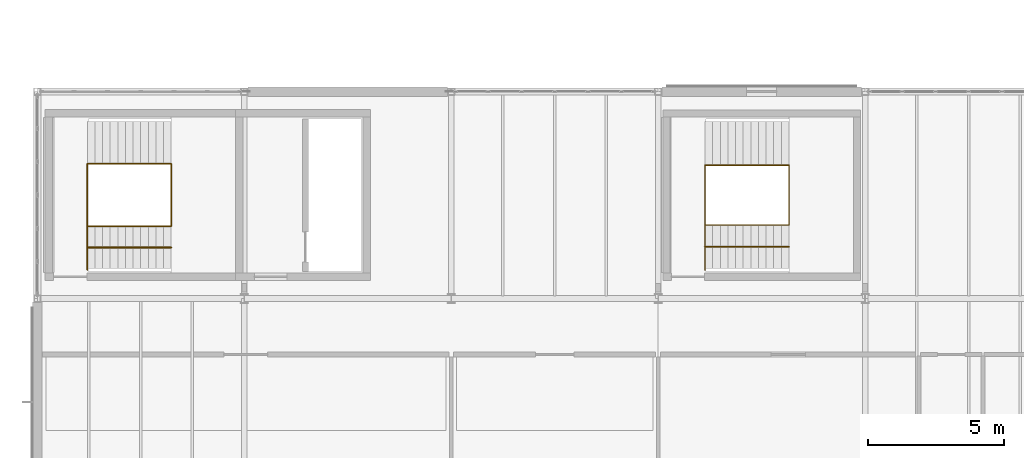
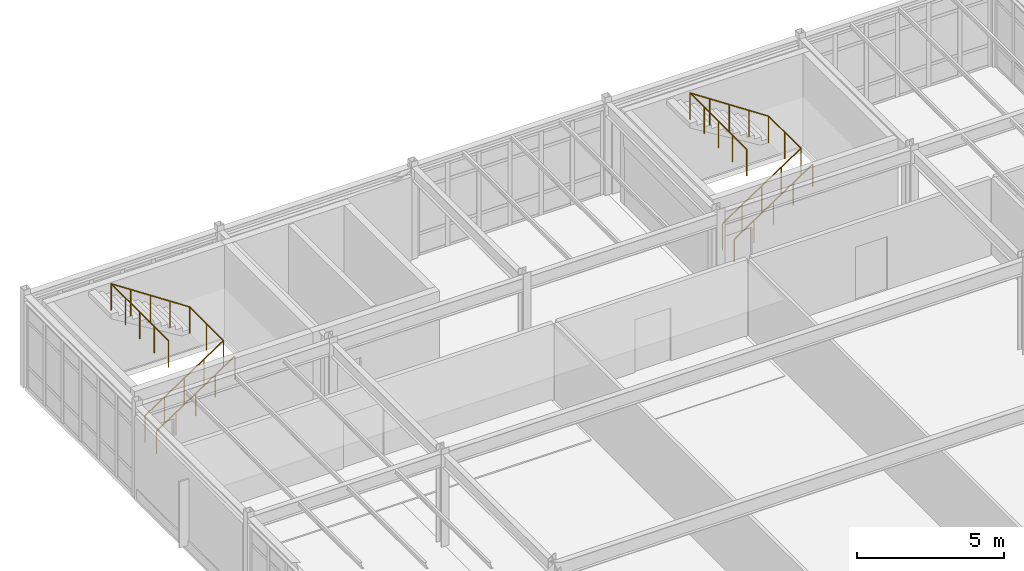
# One storey, part 182 of 189: 4 railings.
"""IFC4 building model written with IfcOpenShell, lengths in metres."""

from ifc_helpers import new_model, si_unit, direction, frame, origin, origin_2d, place, context, subcontext, project, spatial, circle, extrude, material, type_object, element, save


model = new_model("IFC4")

# Units and contexts
model_context = context("Model", 3, precision=1e-05, world=origin(), true_north=direction((0.0, 1.0)))
body_context = subcontext(model_context, "Body", "Model", "MODEL_VIEW")
ifc_project = project(units=[si_unit("LENGTHUNIT", "METRE"), si_unit("AREAUNIT", "SQUARE_METRE"), si_unit("VOLUMEUNIT", "CUBIC_METRE"), si_unit("PLANEANGLEUNIT", "RADIAN"), si_unit("MASSUNIT", "GRAM", prefix="KILO")], contexts=[model_context])

# Site, building, storey
site_placement = place(None, origin())
site = spatial("IfcSite", under=ifc_project, at=site_placement, CompositionType="ELEMENT")
building_placement = place(site_placement, origin())
building = spatial("IfcBuilding", under=site, at=building_placement, Name="Montecoro Central Library", CompositionType="ELEMENT")
storey_placement = place(building_placement, frame((0.0, 0.0, 9.179931640625)))
storey = spatial("IfcBuildingStorey", under=building, at=storey_placement, Name="L02", CompositionType="ELEMENT", Elevation=9.179931640625)

# Railings
ifc_material_1 = material(Name="Brushed stainless steel and bronze balustrade", Category="steel")
railing_type_1 = type_object("IfcRailingType", Name="GRD-INT-110", PredefinedType="GUARDRAIL", material=ifc_material_1)
railing_1_placement = place(storey_placement, frame((6.840087890625, 106.449951171875, 0.0)))
element("IfcRailing", 1, at=railing_1_placement, inside=storey, type_object=railing_type_1, Name="C5-L02-STR-GRD", PredefinedType="GUARDRAIL", context=body_context, shape_type="SweptSolid", body=[
    extrude(circle(Radius=0.02392578125, at=origin_2d()), frame((0.0, 0.0, 1.09619140625), z_axis=(0.833693729882, 0.0, 0.552227095275), x_axis=(0.0, 1.0, 0.0)), (0.0, 0.0, 1.0), 3.694091796875),
    extrude(circle(Radius=0.02392578125, at=origin_2d()), frame((3.079833984375, 0.0, 3.13623046875), z_axis=(0.0, 1.0, 0.0), x_axis=(-1.0, 0.0, 0.0)), (0.0, 0.0, 1.0), 2.300048828125),
    extrude(circle(Radius=0.02392578125, at=origin_2d()), frame((3.079833984375, 2.300048828125, 3.13623046875), z_axis=(-0.833693729882, 0.0, 0.552227095275), x_axis=(0.0, -1.0, 0.0)), (0.0, 0.0, 1.0), 3.694091796875),
    extrude(circle(Radius=0.02392578125, at=origin_2d()), frame((0.0, 2.300048828125, 5.17626953125), z_axis=(0.0, -1.0, 0.0), x_axis=(1.0, 0.0, 0.0)), (0.0, 0.0, 1.0), 3.89990234375),
    extrude(circle(Radius=0.02099609375, at=origin_2d()), origin(), (0.0, 0.0, 1.0), 1.072021484375),
    extrude(circle(Radius=0.02099609375, at=origin_2d()), frame((0.77001953125, 0.0, 0.510009765625)), (0.0, 0.0, 1.0), 1.072021484375),
    extrude(circle(Radius=0.02099609375, at=origin_2d()), frame((1.5400390625, 0.0, 1.02001953125)), (0.0, 0.0, 1.0), 1.072021484375),
    extrude(circle(Radius=0.02099609375, at=origin_2d()), frame((2.309814453125, 0.0, 1.530029296875)), (0.0, 0.0, 1.0), 1.072021484375),
    extrude(circle(Radius=0.02099609375, at=origin_2d()), frame((3.079833984375, 0.0, 2.0400390625)), (0.0, 0.0, 1.0), 1.072021484375),
    extrude(circle(Radius=0.02099609375, at=origin_2d()), frame((3.079833984375, 1.14990234375, 2.0400390625)), (0.0, 0.0, 1.0), 1.072021484375),
    extrude(circle(Radius=0.02099609375, at=origin_2d()), frame((3.079833984375, 2.300048828125, 2.0400390625)), (0.0, 0.0, 1.0), 1.072021484375),
    extrude(circle(Radius=0.02099609375, at=origin_2d()), frame((2.309814453125, 2.300048828125, 2.550048828125)), (0.0, 0.0, 1.0), 1.072021484375),
    extrude(circle(Radius=0.02099609375, at=origin_2d()), frame((1.5400390625, 2.300048828125, 3.06005859375)), (0.0, 0.0, 1.0), 1.072021484375),
    extrude(circle(Radius=0.02099609375, at=origin_2d()), frame((0.77001953125, 2.300048828125, 3.570068359375)), (0.0, 0.0, 1.0), 1.072021484375),
    extrude(circle(Radius=0.02099609375, at=origin_2d()), frame((0.0, 2.300048828125, 4.080078125)), (0.0, 0.0, 1.0), 1.072021484375),
    extrude(circle(Radius=0.02099609375, at=origin_2d()), frame((0.0, 1.3251953125, 4.080078125)), (0.0, 0.0, 1.0), 1.072021484375),
    extrude(circle(Radius=0.02099609375, at=origin_2d()), frame((0.0, 0.35009765625, 4.080078125)), (0.0, 0.0, 1.0), 1.072021484375),
    extrude(circle(Radius=0.02099609375, at=origin_2d()), frame((0.0, -0.625, 4.080078125)), (0.0, 0.0, 1.0), 1.072021484375),
    extrude(circle(Radius=0.02099609375, at=origin_2d()), frame((0.0, -1.599853515625, 4.080078125)), (0.0, 0.0, 1.0), 1.072021484375),
])
railing_2_placement = place(storey_placement, frame((29.52001953125, 106.5, 0.0)))
element("IfcRailing", 2, at=railing_2_placement, inside=storey, type_object=railing_type_1, Name="C9-L02-STR-GRD", PredefinedType="GUARDRAIL", context=body_context, shape_type="SweptSolid", body=[
    extrude(circle(Radius=0.02392578125, at=origin_2d()), frame((0.0, 0.0, 1.09619140625), z_axis=(0.833713881912, 0.0, 0.552196670677), x_axis=(0.0, 1.0, 0.0)), (0.0, 0.0, 1.0), 3.6943359375),
    extrude(circle(Radius=0.02392578125, at=origin_2d()), frame((3.080078125, 0.0, 3.13623046875), z_axis=(0.0, 1.0, 0.0), x_axis=(-1.0, 0.0, 0.0)), (0.0, 0.0, 1.0), 2.199951171875),
    extrude(circle(Radius=0.02392578125, at=origin_2d()), frame((3.080078125, 2.199951171875, 3.13623046875), z_axis=(-0.833713881912, 0.0, 0.552196670677), x_axis=(0.0, -1.0, 0.0)), (0.0, 0.0, 1.0), 3.6943359375),
    extrude(circle(Radius=0.02392578125, at=origin_2d()), frame((0.0, 2.199951171875, 5.17626953125), z_axis=(0.0, -1.0, 0.0), x_axis=(1.0, 0.0, 0.0)), (0.0, 0.0, 1.0), 3.849853515625),
    extrude(circle(Radius=0.02099609375, at=origin_2d()), origin(), (0.0, 0.0, 1.0), 1.072021484375),
    extrude(circle(Radius=0.02099609375, at=origin_2d()), frame((0.77001953125, 0.0, 0.510009765625)), (0.0, 0.0, 1.0), 1.072021484375),
    extrude(circle(Radius=0.02099609375, at=origin_2d()), frame((1.5400390625, 0.0, 1.02001953125)), (0.0, 0.0, 1.0), 1.072021484375),
    extrude(circle(Radius=0.02099609375, at=origin_2d()), frame((2.31005859375, 0.0, 1.530029296875)), (0.0, 0.0, 1.0), 1.072021484375),
    extrude(circle(Radius=0.02099609375, at=origin_2d()), frame((3.080078125, 0.0, 2.0400390625)), (0.0, 0.0, 1.0), 1.072021484375),
    extrude(circle(Radius=0.02099609375, at=origin_2d()), frame((3.080078125, 1.10009765625, 2.0400390625)), (0.0, 0.0, 1.0), 1.072021484375),
    extrude(circle(Radius=0.02099609375, at=origin_2d()), frame((3.080078125, 2.199951171875, 2.0400390625)), (0.0, 0.0, 1.0), 1.072021484375),
    extrude(circle(Radius=0.02099609375, at=origin_2d()), frame((2.31005859375, 2.199951171875, 2.550048828125)), (0.0, 0.0, 1.0), 1.072021484375),
    extrude(circle(Radius=0.02099609375, at=origin_2d()), frame((1.5400390625, 2.199951171875, 3.06005859375)), (0.0, 0.0, 1.0), 1.072021484375),
    extrude(circle(Radius=0.02099609375, at=origin_2d()), frame((0.77001953125, 2.199951171875, 3.570068359375)), (0.0, 0.0, 1.0), 1.072021484375),
    extrude(circle(Radius=0.02099609375, at=origin_2d()), frame((0.0, 2.199951171875, 4.080078125)), (0.0, 0.0, 1.0), 1.072021484375),
    extrude(circle(Radius=0.02099609375, at=origin_2d()), frame((0.0, 1.237548828125, 4.080078125)), (0.0, 0.0, 1.0), 1.072021484375),
    extrude(circle(Radius=0.02099609375, at=origin_2d()), frame((0.0, 0.27490234375, 4.080078125)), (0.0, 0.0, 1.0), 1.072021484375),
    extrude(circle(Radius=0.02099609375, at=origin_2d()), frame((0.0, -0.6875, 4.080078125)), (0.0, 0.0, 1.0), 1.072021484375),
    extrude(circle(Radius=0.02099609375, at=origin_2d()), frame((0.0, -1.64990234375, 4.080078125)), (0.0, 0.0, 1.0), 1.072021484375),
])
ifc_material_2 = material(Name="Brushed architectural bronze handrail")
railing_type_2 = type_object("IfcRailingType", Name="HRL-STR-095", PredefinedType="HANDRAIL", material=ifc_material_2)
railing_3_placement = place(storey_placement, frame((6.840087890625, 105.675048828125, 0.0)))
element("IfcRailing", 3, at=railing_3_placement, inside=storey, type_object=railing_type_2, Name="C5-L02-STR-HR1", PredefinedType="HANDRAIL", context=body_context, shape_type="SweptSolid", body=[
    extrude(circle(Radius=0.02392578125, at=origin_2d()), frame((0.0, 0.0, 0.92578125), z_axis=(0.833693729882, 0.0, 0.552227095275), x_axis=(0.0, 1.0, 0.0)), (0.0, 0.0, 1.0), 3.694091796875),
    extrude(circle(Radius=0.02099609375, at=origin_2d()), origin(), (0.0, 0.0, 1.0), 0.90185546875),
    extrude(circle(Radius=0.02099609375, at=origin_2d()), frame((0.77001953125, 0.0, 0.510009765625)), (0.0, 0.0, 1.0), 0.90185546875),
    extrude(circle(Radius=0.02099609375, at=origin_2d()), frame((1.5400390625, 0.0, 1.02001953125)), (0.0, 0.0, 1.0), 0.90185546875),
    extrude(circle(Radius=0.02099609375, at=origin_2d()), frame((2.309814453125, 0.0, 1.530029296875)), (0.0, 0.0, 1.0), 0.90185546875),
    extrude(circle(Radius=0.02099609375, at=origin_2d()), frame((3.079833984375, 0.0, 2.0400390625)), (0.0, 0.0, 1.0), 0.90185546875),
])
railing_4_placement = place(storey_placement, frame((29.52001953125, 105.699951171875, 0.0)))
element("IfcRailing", 4, at=railing_4_placement, inside=storey, type_object=railing_type_2, Name="C9-L02-STR-HR1", PredefinedType="HANDRAIL", context=body_context, shape_type="SweptSolid", body=[
    extrude(circle(Radius=0.02392578125, at=origin_2d()), frame((0.0, 0.0, 0.92578125), z_axis=(0.833713881912, 0.0, 0.552196670677), x_axis=(0.0, 1.0, 0.0)), (0.0, 0.0, 1.0), 3.6943359375),
    extrude(circle(Radius=0.02099609375, at=origin_2d()), origin(), (0.0, 0.0, 1.0), 0.90185546875),
    extrude(circle(Radius=0.02099609375, at=origin_2d()), frame((0.77001953125, 0.0, 0.510009765625)), (0.0, 0.0, 1.0), 0.90185546875),
    extrude(circle(Radius=0.02099609375, at=origin_2d()), frame((1.5400390625, 0.0, 1.02001953125)), (0.0, 0.0, 1.0), 0.90185546875),
    extrude(circle(Radius=0.02099609375, at=origin_2d()), frame((2.31005859375, 0.0, 1.530029296875)), (0.0, 0.0, 1.0), 0.90185546875),
    extrude(circle(Radius=0.02099609375, at=origin_2d()), frame((3.080078125, 0.0, 2.0400390625)), (0.0, 0.0, 1.0), 0.90185546875),
])

save(model, "model.ifc")
